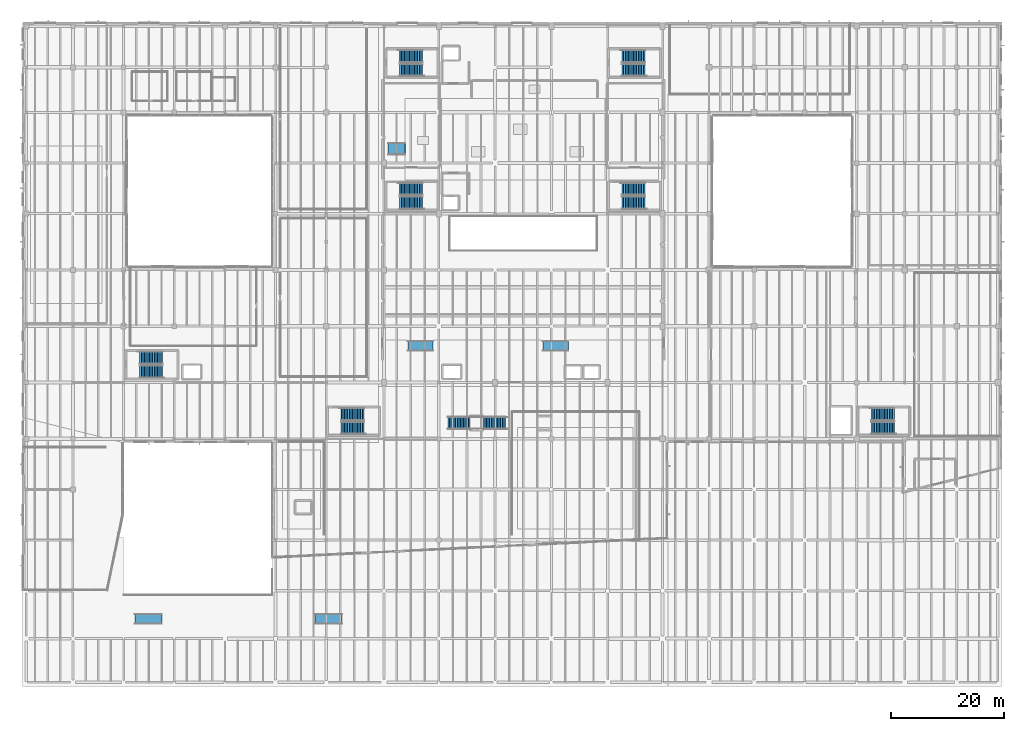
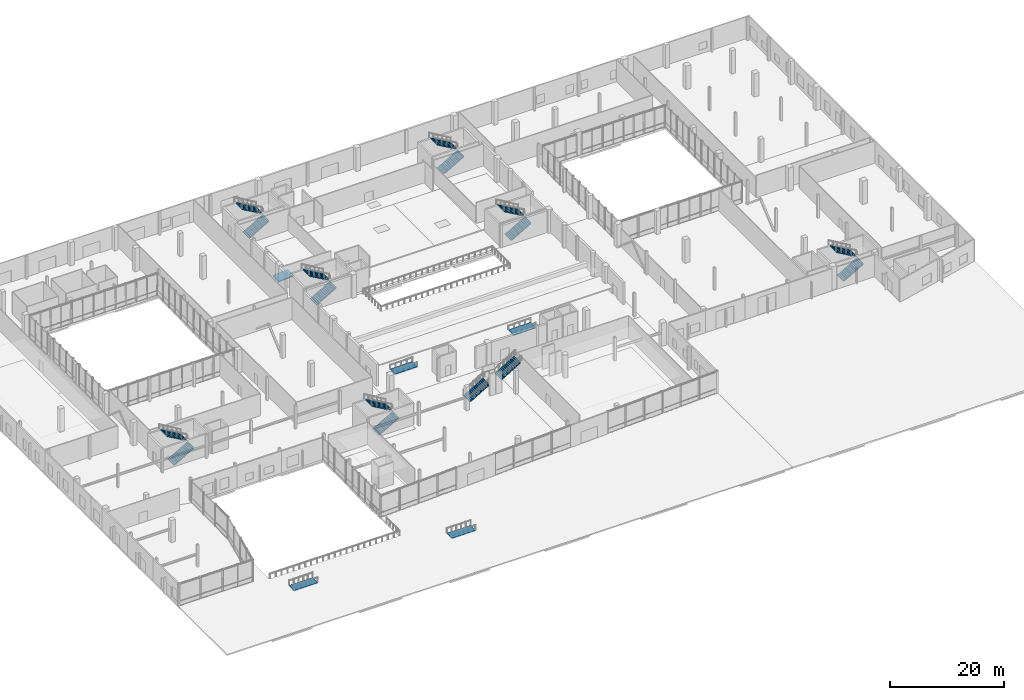
# One storey, part 76 of 88: 16 stair flights, 5 ramp flights, 13 elements without a shape of their own.
"""IFC4 building model written with IfcOpenShell, lengths in metres."""

from ifc_helpers import new_model, si_unit, direction, frame, origin, place, context, subcontext, project, spatial, polyline, outline, extrude, material, layer, layer_set, type_object, element, aggregate, save


model = new_model("IFC4")

# Units and contexts
model_context = context("Model", 3, precision=1e-05, world=origin(), true_north=direction((0.0, 1.0)))
body_context = subcontext(model_context, "Body", "Model", "MODEL_VIEW")
ifc_project = project(units=[si_unit("LENGTHUNIT", "METRE"), si_unit("AREAUNIT", "SQUARE_METRE"), si_unit("VOLUMEUNIT", "CUBIC_METRE"), si_unit("PLANEANGLEUNIT", "RADIAN"), si_unit("MASSUNIT", "GRAM", prefix="KILO")], contexts=[model_context])

# Site, building, storey
site_placement = place(None, origin())
site = spatial("IfcSite", under=ifc_project, at=site_placement, CompositionType="ELEMENT")
building_placement = place(site_placement, origin())
building = spatial("IfcBuilding", under=site, at=building_placement, Name="Trimount Lyric Opera House", CompositionType="ELEMENT")
storey_placement = place(building_placement, origin())
storey = spatial("IfcBuildingStorey", under=building, at=storey_placement, Name="L00", CompositionType="ELEMENT", Elevation=0.0)

# Stair, stair flights
ifc_material_1 = material(Name="Concrete C40/50", Category="concrete")
stair_type_1 = type_object("IfcStairType", Name="STR-CORE-A", PredefinedType="TWO_QUARTER_TURN_STAIR", material=ifc_material_1)
stair_1_placement = place(storey_placement, origin())
stair_1 = element("IfcStair", 1, at=stair_1_placement, inside=storey, type_object=stair_type_1, Name="L00 Exit Stair ST-01", PredefinedType="TWO_QUARTER_TURN_STAIR")
ifc_material_2 = material(Name="Concrete C40/50", Category="concrete")
stair_flight_type_1 = type_object("IfcStairFlightType", Name="SFL-CORE-A", PredefinedType="STRAIGHT", material=ifc_material_2)
stair_flight_1_placement = place(storey_placement, frame((67.050048828125, 109.52490234375, 0.0), z_axis=(0.0, 0.0, 1.0), x_axis=(1.0, 0.0, 0.0)))
stair_flight_1 = element("IfcStairFlight", 2, at=stair_flight_1_placement, type_object=stair_flight_type_1, Name="ST-01 flight 1", NumberOfRisers=15, NumberOfTreads=14, PredefinedType="STRAIGHT", RiserHeight=0.166666667, TreadLength=0.29, context=body_context, shape_type="SweptSolid", body=[
    extrude(outline(polyline([(0.0, 0.0), (0.0, 0.166748046875), (0.2900390625, 0.166748046875), (0.2900390625, 0.333251953125), (0.580078125, 0.333251953125), (0.580078125, 0.5), (0.8701171875, 0.5), (0.8701171875, 0.666748046875), (1.159912109375, 0.666748046875), (1.159912109375, 0.833251953125), (1.449951171875, 0.833251953125), (1.449951171875, 1.0), (1.739990234375, 1.0), (1.739990234375, 1.166748046875), (2.030029296875, 1.166748046875), (2.030029296875, 1.333251953125), (2.320068359375, 1.333251953125), (2.320068359375, 1.5), (2.610107421875, 1.5), (2.610107421875, 1.666748046875), (2.89990234375, 1.666748046875), (2.89990234375, 1.833251953125), (3.18994140625, 1.833251953125), (3.18994140625, 2.0), (3.47998046875, 2.0), (3.47998046875, 2.166748046875), (3.77001953125, 2.166748046875), (3.77001953125, 2.333251953125), (4.0439453125, 2.333251953125), (4.06005859375, 2.5), (4.06005859375, 2.160400390625), (0.30078125, 0.0), (0.0, 0.0)])), frame((0.0, 1.125, 0.0), z_axis=(0.0, -1.0, 0.0), x_axis=(1.0, 0.0, 0.0)), (0.0, 0.0, 1.0), 2.25),
])
stair_flight_2_placement = place(storey_placement, frame((71.110107421875, 111.97509765625, 2.5), z_axis=(0.0, 0.0, 1.0), x_axis=(-1.0, 0.0, 0.0)))
stair_flight_2 = element("IfcStairFlight", 3, at=stair_flight_2_placement, type_object=stair_flight_type_1, Name="ST-01 flight 2", NumberOfRisers=15, NumberOfTreads=14, PredefinedType="STRAIGHT", RiserHeight=0.166666667, TreadLength=0.29, context=body_context, shape_type="SweptSolid", body=[
    extrude(outline(polyline([(0.0, 0.0), (0.0, 0.166748046875), (0.2900390625, 0.166748046875), (0.2900390625, 0.333251953125), (0.580078125, 0.333251953125), (0.580078125, 0.5), (0.8701171875, 0.5), (0.8701171875, 0.666748046875), (1.159912109375, 0.666748046875), (1.159912109375, 0.833251953125), (1.449951171875, 0.833251953125), (1.449951171875, 1.0), (1.739990234375, 1.0), (1.739990234375, 1.166748046875), (2.030029296875, 1.166748046875), (2.030029296875, 1.333251953125), (2.320068359375, 1.333251953125), (2.320068359375, 1.5), (2.610107421875, 1.5), (2.610107421875, 1.666748046875), (2.89990234375, 1.666748046875), (2.89990234375, 1.833251953125), (3.18994140625, 1.833251953125), (3.18994140625, 2.0), (3.47998046875, 2.0), (3.47998046875, 2.166748046875), (3.77001953125, 2.166748046875), (3.77001953125, 2.333251953125), (4.0439453125, 2.333251953125), (4.06005859375, 2.5), (4.06005859375, 2.160400390625), (0.30078125, 0.0), (0.0, 0.0)])), frame((0.0, 1.125, 0.0), z_axis=(0.0, -1.0, 0.0), x_axis=(1.0, 0.0, 0.0)), (0.0, 0.0, 1.0), 2.25),
])
aggregate(stair_1, [stair_flight_1, stair_flight_2])

stair_2_placement = place(storey_placement, origin())
stair_2 = element("IfcStair", 4, at=stair_2_placement, inside=storey, type_object=stair_type_1, Name="L00 Exit Stair ST-02", PredefinedType="TWO_QUARTER_TURN_STAIR")
stair_flight_3_placement = place(storey_placement, frame((106.550048828125, 109.52490234375, 0.0), z_axis=(0.0, 0.0, 1.0), x_axis=(1.0, 0.0, 0.0)))
stair_flight_3 = element("IfcStairFlight", 5, at=stair_flight_3_placement, type_object=stair_flight_type_1, Name="ST-02 flight 1", NumberOfRisers=15, NumberOfTreads=14, PredefinedType="STRAIGHT", RiserHeight=0.166666667, TreadLength=0.29, context=body_context, shape_type="SweptSolid", body=[
    extrude(outline(polyline([(0.0, 0.0), (0.0, 0.166748046875), (0.2900390625, 0.166748046875), (0.2900390625, 0.333251953125), (0.580078125, 0.333251953125), (0.580078125, 0.5), (0.8701171875, 0.5), (0.8701171875, 0.666748046875), (1.159912109375, 0.666748046875), (1.159912109375, 0.833251953125), (1.449951171875, 0.833251953125), (1.449951171875, 1.0), (1.739990234375, 1.0), (1.739990234375, 1.166748046875), (2.030029296875, 1.166748046875), (2.030029296875, 1.333251953125), (2.320068359375, 1.333251953125), (2.320068359375, 1.5), (2.610107421875, 1.5), (2.610107421875, 1.666748046875), (2.89990234375, 1.666748046875), (2.89990234375, 1.833251953125), (3.18994140625, 1.833251953125), (3.18994140625, 2.0), (3.47998046875, 2.0), (3.47998046875, 2.166748046875), (3.77001953125, 2.166748046875), (3.77001953125, 2.333251953125), (4.0439453125, 2.333251953125), (4.06005859375, 2.5), (4.06005859375, 2.160400390625), (0.30078125, 0.0), (0.0, 0.0)])), frame((0.0, 1.125, 0.0), z_axis=(0.0, -1.0, 0.0), x_axis=(1.0, 0.0, 0.0)), (0.0, 0.0, 1.0), 2.25),
])
stair_flight_4_placement = place(storey_placement, frame((110.610107421875, 111.97509765625, 2.5), z_axis=(0.0, 0.0, 1.0), x_axis=(-1.0, 0.0, 0.0)))
stair_flight_4 = element("IfcStairFlight", 6, at=stair_flight_4_placement, type_object=stair_flight_type_1, Name="ST-02 flight 2", NumberOfRisers=15, NumberOfTreads=14, PredefinedType="STRAIGHT", RiserHeight=0.166666667, TreadLength=0.29, context=body_context, shape_type="SweptSolid", body=[
    extrude(outline(polyline([(0.0, 0.0), (0.0, 0.166748046875), (0.2900390625, 0.166748046875), (0.2900390625, 0.333251953125), (0.580078125, 0.333251953125), (0.580078125, 0.5), (0.8701171875, 0.5), (0.8701171875, 0.666748046875), (1.159912109375, 0.666748046875), (1.159912109375, 0.833251953125), (1.449951171875, 0.833251953125), (1.449951171875, 1.0), (1.739990234375, 1.0), (1.739990234375, 1.166748046875), (2.030029296875, 1.166748046875), (2.030029296875, 1.333251953125), (2.320068359375, 1.333251953125), (2.320068359375, 1.5), (2.610107421875, 1.5), (2.610107421875, 1.666748046875), (2.89990234375, 1.666748046875), (2.89990234375, 1.833251953125), (3.18994140625, 1.833251953125), (3.18994140625, 2.0), (3.47998046875, 2.0), (3.47998046875, 2.166748046875), (3.77001953125, 2.166748046875), (3.77001953125, 2.333251953125), (4.0439453125, 2.333251953125), (4.06005859375, 2.5), (4.06005859375, 2.160400390625), (0.30078125, 0.0), (0.0, 0.0)])), frame((0.0, 1.125, 0.0), z_axis=(0.0, -1.0, 0.0), x_axis=(1.0, 0.0, 0.0)), (0.0, 0.0, 1.0), 2.25),
])
aggregate(stair_2, [stair_flight_3, stair_flight_4])

stair_3_placement = place(storey_placement, origin())
stair_3 = element("IfcStair", 7, at=stair_3_placement, inside=storey, type_object=stair_type_1, Name="L00 Exit Stair ST-03", PredefinedType="TWO_QUARTER_TURN_STAIR")
stair_flight_5_placement = place(storey_placement, frame((67.050048828125, 85.925048828125, 0.0), z_axis=(0.0, 0.0, 1.0), x_axis=(1.0, 0.0, 0.0)))
stair_flight_5 = element("IfcStairFlight", 8, at=stair_flight_5_placement, type_object=stair_flight_type_1, Name="ST-03 flight 1", NumberOfRisers=15, NumberOfTreads=14, PredefinedType="STRAIGHT", RiserHeight=0.166666667, TreadLength=0.29, context=body_context, shape_type="SweptSolid", body=[
    extrude(outline(polyline([(0.0, 0.0), (0.0, 0.166748046875), (0.2900390625, 0.166748046875), (0.2900390625, 0.333251953125), (0.580078125, 0.333251953125), (0.580078125, 0.5), (0.8701171875, 0.5), (0.8701171875, 0.666748046875), (1.159912109375, 0.666748046875), (1.159912109375, 0.833251953125), (1.449951171875, 0.833251953125), (1.449951171875, 1.0), (1.739990234375, 1.0), (1.739990234375, 1.166748046875), (2.030029296875, 1.166748046875), (2.030029296875, 1.333251953125), (2.320068359375, 1.333251953125), (2.320068359375, 1.5), (2.610107421875, 1.5), (2.610107421875, 1.666748046875), (2.89990234375, 1.666748046875), (2.89990234375, 1.833251953125), (3.18994140625, 1.833251953125), (3.18994140625, 2.0), (3.47998046875, 2.0), (3.47998046875, 2.166748046875), (3.77001953125, 2.166748046875), (3.77001953125, 2.333251953125), (4.0439453125, 2.333251953125), (4.06005859375, 2.5), (4.06005859375, 2.160400390625), (0.30078125, 0.0), (0.0, 0.0)])), frame((0.0, 1.125, 0.0), z_axis=(0.0, -1.0, 0.0), x_axis=(1.0, 0.0, 0.0)), (0.0, 0.0, 1.0), 2.25),
])
stair_flight_6_placement = place(storey_placement, frame((71.110107421875, 88.375, 2.5), z_axis=(0.0, 0.0, 1.0), x_axis=(-1.0, 0.0, 0.0)))
stair_flight_6 = element("IfcStairFlight", 9, at=stair_flight_6_placement, type_object=stair_flight_type_1, Name="ST-03 flight 2", NumberOfRisers=15, NumberOfTreads=14, PredefinedType="STRAIGHT", RiserHeight=0.166666667, TreadLength=0.29, context=body_context, shape_type="SweptSolid", body=[
    extrude(outline(polyline([(0.0, 0.0), (0.0, 0.166748046875), (0.2900390625, 0.166748046875), (0.2900390625, 0.333251953125), (0.580078125, 0.333251953125), (0.580078125, 0.5), (0.8701171875, 0.5), (0.8701171875, 0.666748046875), (1.159912109375, 0.666748046875), (1.159912109375, 0.833251953125), (1.449951171875, 0.833251953125), (1.449951171875, 1.0), (1.739990234375, 1.0), (1.739990234375, 1.166748046875), (2.030029296875, 1.166748046875), (2.030029296875, 1.333251953125), (2.320068359375, 1.333251953125), (2.320068359375, 1.5), (2.610107421875, 1.5), (2.610107421875, 1.666748046875), (2.89990234375, 1.666748046875), (2.89990234375, 1.833251953125), (3.18994140625, 1.833251953125), (3.18994140625, 2.0), (3.47998046875, 2.0), (3.47998046875, 2.166748046875), (3.77001953125, 2.166748046875), (3.77001953125, 2.333251953125), (4.0439453125, 2.333251953125), (4.06005859375, 2.5), (4.06005859375, 2.160400390625), (0.30078125, 0.0), (0.0, 0.0)])), frame((0.0, 1.125, 0.0), z_axis=(0.0, -1.0, 0.0), x_axis=(1.0, 0.0, 0.0)), (0.0, 0.0, 1.0), 2.25),
])
aggregate(stair_3, [stair_flight_5, stair_flight_6])

stair_4_placement = place(storey_placement, origin())
stair_4 = element("IfcStair", 10, at=stair_4_placement, inside=storey, type_object=stair_type_1, Name="L00 Exit Stair ST-04", PredefinedType="TWO_QUARTER_TURN_STAIR")
stair_flight_7_placement = place(storey_placement, frame((106.550048828125, 85.925048828125, 0.0), z_axis=(0.0, 0.0, 1.0), x_axis=(1.0, 0.0, 0.0)))
stair_flight_7 = element("IfcStairFlight", 11, at=stair_flight_7_placement, type_object=stair_flight_type_1, Name="ST-04 flight 1", NumberOfRisers=15, NumberOfTreads=14, PredefinedType="STRAIGHT", RiserHeight=0.166666667, TreadLength=0.29, context=body_context, shape_type="SweptSolid", body=[
    extrude(outline(polyline([(0.0, 0.0), (0.0, 0.166748046875), (0.2900390625, 0.166748046875), (0.2900390625, 0.333251953125), (0.580078125, 0.333251953125), (0.580078125, 0.5), (0.8701171875, 0.5), (0.8701171875, 0.666748046875), (1.159912109375, 0.666748046875), (1.159912109375, 0.833251953125), (1.449951171875, 0.833251953125), (1.449951171875, 1.0), (1.739990234375, 1.0), (1.739990234375, 1.166748046875), (2.030029296875, 1.166748046875), (2.030029296875, 1.333251953125), (2.320068359375, 1.333251953125), (2.320068359375, 1.5), (2.610107421875, 1.5), (2.610107421875, 1.666748046875), (2.89990234375, 1.666748046875), (2.89990234375, 1.833251953125), (3.18994140625, 1.833251953125), (3.18994140625, 2.0), (3.47998046875, 2.0), (3.47998046875, 2.166748046875), (3.77001953125, 2.166748046875), (3.77001953125, 2.333251953125), (4.0439453125, 2.333251953125), (4.06005859375, 2.5), (4.06005859375, 2.160400390625), (0.30078125, 0.0), (0.0, 0.0)])), frame((0.0, 1.125, 0.0), z_axis=(0.0, -1.0, 0.0), x_axis=(1.0, 0.0, 0.0)), (0.0, 0.0, 1.0), 2.25),
])
stair_flight_8_placement = place(storey_placement, frame((110.610107421875, 88.375, 2.5), z_axis=(0.0, 0.0, 1.0), x_axis=(-1.0, 0.0, 0.0)))
stair_flight_8 = element("IfcStairFlight", 12, at=stair_flight_8_placement, type_object=stair_flight_type_1, Name="ST-04 flight 2", NumberOfRisers=15, NumberOfTreads=14, PredefinedType="STRAIGHT", RiserHeight=0.166666667, TreadLength=0.29, context=body_context, shape_type="SweptSolid", body=[
    extrude(outline(polyline([(0.0, 0.0), (0.0, 0.166748046875), (0.2900390625, 0.166748046875), (0.2900390625, 0.333251953125), (0.580078125, 0.333251953125), (0.580078125, 0.5), (0.8701171875, 0.5), (0.8701171875, 0.666748046875), (1.159912109375, 0.666748046875), (1.159912109375, 0.833251953125), (1.449951171875, 0.833251953125), (1.449951171875, 1.0), (1.739990234375, 1.0), (1.739990234375, 1.166748046875), (2.030029296875, 1.166748046875), (2.030029296875, 1.333251953125), (2.320068359375, 1.333251953125), (2.320068359375, 1.5), (2.610107421875, 1.5), (2.610107421875, 1.666748046875), (2.89990234375, 1.666748046875), (2.89990234375, 1.833251953125), (3.18994140625, 1.833251953125), (3.18994140625, 2.0), (3.47998046875, 2.0), (3.47998046875, 2.166748046875), (3.77001953125, 2.166748046875), (3.77001953125, 2.333251953125), (4.0439453125, 2.333251953125), (4.06005859375, 2.5), (4.06005859375, 2.160400390625), (0.30078125, 0.0), (0.0, 0.0)])), frame((0.0, 1.125, 0.0), z_axis=(0.0, -1.0, 0.0), x_axis=(1.0, 0.0, 0.0)), (0.0, 0.0, 1.0), 2.25),
])
aggregate(stair_4, [stair_flight_7, stair_flight_8])

stair_5_placement = place(storey_placement, origin())
stair_5 = element("IfcStair", 13, at=stair_5_placement, inside=storey, type_object=stair_type_1, Name="L00 Exit Stair ST-05", PredefinedType="TWO_QUARTER_TURN_STAIR")
stair_flight_9_placement = place(storey_placement, frame((150.85009765625, 45.925048828125, 0.0), z_axis=(0.0, 0.0, 1.0), x_axis=(1.0, 0.0, 0.0)))
stair_flight_9 = element("IfcStairFlight", 14, at=stair_flight_9_placement, type_object=stair_flight_type_1, Name="ST-05 flight 1", NumberOfRisers=15, NumberOfTreads=14, PredefinedType="STRAIGHT", RiserHeight=0.166666667, TreadLength=0.29, context=body_context, shape_type="SweptSolid", body=[
    extrude(outline(polyline([(0.0, 0.0), (0.0, 0.166748046875), (0.2900390625, 0.166748046875), (0.2900390625, 0.333251953125), (0.580078125, 0.333251953125), (0.580078125, 0.5), (0.8701171875, 0.5), (0.8701171875, 0.666748046875), (1.159912109375, 0.666748046875), (1.159912109375, 0.833251953125), (1.449951171875, 0.833251953125), (1.449951171875, 1.0), (1.739990234375, 1.0), (1.739990234375, 1.166748046875), (2.030029296875, 1.166748046875), (2.030029296875, 1.333251953125), (2.320068359375, 1.333251953125), (2.320068359375, 1.5), (2.610107421875, 1.5), (2.610107421875, 1.666748046875), (2.89990234375, 1.666748046875), (2.89990234375, 1.833251953125), (3.18994140625, 1.833251953125), (3.18994140625, 2.0), (3.47998046875, 2.0), (3.47998046875, 2.166748046875), (3.77001953125, 2.166748046875), (3.77001953125, 2.333251953125), (4.0439453125, 2.333251953125), (4.06005859375, 2.5), (4.06005859375, 2.160400390625), (0.30078125, 0.0), (0.0, 0.0)])), frame((0.0, 1.125, 0.0), z_axis=(0.0, -1.0, 0.0), x_axis=(1.0, 0.0, 0.0)), (0.0, 0.0, 1.0), 2.25),
])
stair_flight_10_placement = place(storey_placement, frame((154.909912109375, 48.375, 2.5), z_axis=(0.0, 0.0, 1.0), x_axis=(-1.0, 0.0, 0.0)))
stair_flight_10 = element("IfcStairFlight", 15, at=stair_flight_10_placement, type_object=stair_flight_type_1, Name="ST-05 flight 2", NumberOfRisers=15, NumberOfTreads=14, PredefinedType="STRAIGHT", RiserHeight=0.166666667, TreadLength=0.29, context=body_context, shape_type="SweptSolid", body=[
    extrude(outline(polyline([(0.0, 0.0), (0.0, 0.166748046875), (0.2900390625, 0.166748046875), (0.2900390625, 0.333251953125), (0.580078125, 0.333251953125), (0.580078125, 0.5), (0.8701171875, 0.5), (0.8701171875, 0.666748046875), (1.159912109375, 0.666748046875), (1.159912109375, 0.833251953125), (1.449951171875, 0.833251953125), (1.449951171875, 1.0), (1.739990234375, 1.0), (1.739990234375, 1.166748046875), (2.030029296875, 1.166748046875), (2.030029296875, 1.333251953125), (2.320068359375, 1.333251953125), (2.320068359375, 1.5), (2.610107421875, 1.5), (2.610107421875, 1.666748046875), (2.89990234375, 1.666748046875), (2.89990234375, 1.833251953125), (3.18994140625, 1.833251953125), (3.18994140625, 2.0), (3.47998046875, 2.0), (3.47998046875, 2.166748046875), (3.77001953125, 2.166748046875), (3.77001953125, 2.333251953125), (4.0439453125, 2.333251953125), (4.06005859375, 2.5), (4.06005859375, 2.160400390625), (0.30078125, 0.0), (0.0, 0.0)])), frame((0.0, 1.125, 0.0), z_axis=(0.0, -1.0, 0.0), x_axis=(1.0, 0.0, 0.0)), (0.0, 0.0, 1.0), 2.25),
])
aggregate(stair_5, [stair_flight_9, stair_flight_10])

stair_6_placement = place(storey_placement, origin())
stair_6 = element("IfcStair", 16, at=stair_6_placement, inside=storey, type_object=stair_type_1, Name="L00 Exit Stair ST-06", PredefinedType="TWO_QUARTER_TURN_STAIR")
stair_flight_11_placement = place(storey_placement, frame((20.85009765625, 55.925048828125, 0.0), z_axis=(0.0, 0.0, 1.0), x_axis=(1.0, 0.0, 0.0)))
stair_flight_11 = element("IfcStairFlight", 17, at=stair_flight_11_placement, type_object=stair_flight_type_1, Name="ST-06 flight 1", NumberOfRisers=15, NumberOfTreads=14, PredefinedType="STRAIGHT", RiserHeight=0.166666667, TreadLength=0.29, context=body_context, shape_type="SweptSolid", body=[
    extrude(outline(polyline([(0.0, 0.0), (0.0, 0.166748046875), (0.2900390625, 0.166748046875), (0.2900390625, 0.333251953125), (0.580078125, 0.333251953125), (0.580078125, 0.5), (0.8701171875, 0.5), (0.8701171875, 0.666748046875), (1.159912109375, 0.666748046875), (1.159912109375, 0.833251953125), (1.449951171875, 0.833251953125), (1.449951171875, 1.0), (1.739990234375, 1.0), (1.739990234375, 1.166748046875), (2.030029296875, 1.166748046875), (2.030029296875, 1.333251953125), (2.320068359375, 1.333251953125), (2.320068359375, 1.5), (2.610107421875, 1.5), (2.610107421875, 1.666748046875), (2.89990234375, 1.666748046875), (2.89990234375, 1.833251953125), (3.18994140625, 1.833251953125), (3.18994140625, 2.0), (3.47998046875, 2.0), (3.47998046875, 2.166748046875), (3.77001953125, 2.166748046875), (3.77001953125, 2.333251953125), (4.0439453125, 2.333251953125), (4.06005859375, 2.5), (4.06005859375, 2.160400390625), (0.30078125, 0.0), (0.0, 0.0)])), frame((0.0, 1.125, 0.0), z_axis=(0.0, -1.0, 0.0), x_axis=(1.0, 0.0, 0.0)), (0.0, 0.0, 1.0), 2.25),
])
stair_flight_12_placement = place(storey_placement, frame((24.909912109375, 58.375, 2.5), z_axis=(0.0, 0.0, 1.0), x_axis=(-1.0, 0.0, 0.0)))
stair_flight_12 = element("IfcStairFlight", 18, at=stair_flight_12_placement, type_object=stair_flight_type_1, Name="ST-06 flight 2", NumberOfRisers=15, NumberOfTreads=14, PredefinedType="STRAIGHT", RiserHeight=0.166666667, TreadLength=0.29, context=body_context, shape_type="SweptSolid", body=[
    extrude(outline(polyline([(0.0, 0.0), (0.0, 0.166748046875), (0.2900390625, 0.166748046875), (0.2900390625, 0.333251953125), (0.580078125, 0.333251953125), (0.580078125, 0.5), (0.8701171875, 0.5), (0.8701171875, 0.666748046875), (1.159912109375, 0.666748046875), (1.159912109375, 0.833251953125), (1.449951171875, 0.833251953125), (1.449951171875, 1.0), (1.739990234375, 1.0), (1.739990234375, 1.166748046875), (2.030029296875, 1.166748046875), (2.030029296875, 1.333251953125), (2.320068359375, 1.333251953125), (2.320068359375, 1.5), (2.610107421875, 1.5), (2.610107421875, 1.666748046875), (2.89990234375, 1.666748046875), (2.89990234375, 1.833251953125), (3.18994140625, 1.833251953125), (3.18994140625, 2.0), (3.47998046875, 2.0), (3.47998046875, 2.166748046875), (3.77001953125, 2.166748046875), (3.77001953125, 2.333251953125), (4.0439453125, 2.333251953125), (4.06005859375, 2.5), (4.06005859375, 2.160400390625), (0.30078125, 0.0), (0.0, 0.0)])), frame((0.0, 1.125, 0.0), z_axis=(0.0, -1.0, 0.0), x_axis=(1.0, 0.0, 0.0)), (0.0, 0.0, 1.0), 2.25),
])
aggregate(stair_6, [stair_flight_11, stair_flight_12])

stair_7_placement = place(storey_placement, origin())
stair_7 = element("IfcStair", 19, at=stair_7_placement, inside=storey, type_object=stair_type_1, Name="L00 Exit Stair ST-07", PredefinedType="TWO_QUARTER_TURN_STAIR")
stair_flight_13_placement = place(storey_placement, frame((56.64990234375, 45.925048828125, 0.0), z_axis=(0.0, 0.0, 1.0), x_axis=(1.0, 0.0, 0.0)))
stair_flight_13 = element("IfcStairFlight", 20, at=stair_flight_13_placement, type_object=stair_flight_type_1, Name="ST-07 flight 1", NumberOfRisers=15, NumberOfTreads=14, PredefinedType="STRAIGHT", RiserHeight=0.166666667, TreadLength=0.29, context=body_context, shape_type="SweptSolid", body=[
    extrude(outline(polyline([(0.0, 0.0), (0.0, 0.166748046875), (0.2900390625, 0.166748046875), (0.2900390625, 0.333251953125), (0.580078125, 0.333251953125), (0.580078125, 0.5), (0.8701171875, 0.5), (0.8701171875, 0.666748046875), (1.159912109375, 0.666748046875), (1.159912109375, 0.833251953125), (1.449951171875, 0.833251953125), (1.449951171875, 1.0), (1.739990234375, 1.0), (1.739990234375, 1.166748046875), (2.030029296875, 1.166748046875), (2.030029296875, 1.333251953125), (2.320068359375, 1.333251953125), (2.320068359375, 1.5), (2.610107421875, 1.5), (2.610107421875, 1.666748046875), (2.89990234375, 1.666748046875), (2.89990234375, 1.833251953125), (3.18994140625, 1.833251953125), (3.18994140625, 2.0), (3.47998046875, 2.0), (3.47998046875, 2.166748046875), (3.77001953125, 2.166748046875), (3.77001953125, 2.333251953125), (4.0439453125, 2.333251953125), (4.06005859375, 2.5), (4.06005859375, 2.160400390625), (0.30078125, 0.0), (0.0, 0.0)])), frame((0.0, 1.125, 0.0), z_axis=(0.0, -1.0, 0.0), x_axis=(1.0, 0.0, 0.0)), (0.0, 0.0, 1.0), 2.25),
])
stair_flight_14_placement = place(storey_placement, frame((60.7099609375, 48.375, 2.5), z_axis=(0.0, 0.0, 1.0), x_axis=(-1.0, 0.0, 0.0)))
stair_flight_14 = element("IfcStairFlight", 21, at=stair_flight_14_placement, type_object=stair_flight_type_1, Name="ST-07 flight 2", NumberOfRisers=15, NumberOfTreads=14, PredefinedType="STRAIGHT", RiserHeight=0.166666667, TreadLength=0.29, context=body_context, shape_type="SweptSolid", body=[
    extrude(outline(polyline([(0.0, 0.0), (0.0, 0.166748046875), (0.2900390625, 0.166748046875), (0.2900390625, 0.333251953125), (0.580078125, 0.333251953125), (0.580078125, 0.5), (0.8701171875, 0.5), (0.8701171875, 0.666748046875), (1.159912109375, 0.666748046875), (1.159912109375, 0.833251953125), (1.449951171875, 0.833251953125), (1.449951171875, 1.0), (1.739990234375, 1.0), (1.739990234375, 1.166748046875), (2.030029296875, 1.166748046875), (2.030029296875, 1.333251953125), (2.320068359375, 1.333251953125), (2.320068359375, 1.5), (2.610107421875, 1.5), (2.610107421875, 1.666748046875), (2.89990234375, 1.666748046875), (2.89990234375, 1.833251953125), (3.18994140625, 1.833251953125), (3.18994140625, 2.0), (3.47998046875, 2.0), (3.47998046875, 2.166748046875), (3.77001953125, 2.166748046875), (3.77001953125, 2.333251953125), (4.0439453125, 2.333251953125), (4.06005859375, 2.5), (4.06005859375, 2.160400390625), (0.30078125, 0.0), (0.0, 0.0)])), frame((0.0, 1.125, 0.0), z_axis=(0.0, -1.0, 0.0), x_axis=(1.0, 0.0, 0.0)), (0.0, 0.0, 1.0), 2.25),
])
aggregate(stair_7, [stair_flight_13, stair_flight_14])

ifc_material_3 = material(Name="Steel ASTM A36", Category="steel")
stair_type_2 = type_object("IfcStairType", Name="STR-FOY-2", PredefinedType="STRAIGHT_RUN_STAIR", material=ifc_material_3)
stair_8_placement = place(storey_placement, origin())
stair_8 = element("IfcStair", 22, at=stair_8_placement, inside=storey, type_object=stair_type_2, Name="Winter-Garden Lower Promenade Stair", PredefinedType="STRAIGHT_RUN_STAIR")
ifc_material_4 = material(Name="Steel ASTM A36", Category="steel")
stair_flight_type_2 = type_object("IfcStairFlightType", Name="SFL-FOY-2", PredefinedType="STRAIGHT", material=ifc_material_4)
stair_flight_15_placement = place(storey_placement, frame((75.60009765625, 46.800048828125, 0.0), z_axis=(0.0, 0.0, 1.0), x_axis=(1.0, 0.0, 0.0)))
stair_flight_15 = element("IfcStairFlight", 23, at=stair_flight_15_placement, type_object=stair_flight_type_2, Name="FS-02 flight 1", NumberOfRisers=15, NumberOfTreads=14, PredefinedType="STRAIGHT", RiserHeight=0.166666667, TreadLength=0.28, context=body_context, shape_type="SweptSolid", body=[
    extrude(outline(polyline([(0.0, 0.0), (0.0, 0.166748046875), (0.280029296875, 0.166748046875), (0.280029296875, 0.333251953125), (0.56005859375, 0.333251953125), (0.56005859375, 0.5), (0.840087890625, 0.5), (0.840087890625, 0.666748046875), (1.1201171875, 0.666748046875), (1.1201171875, 0.833251953125), (1.39990234375, 0.833251953125), (1.39990234375, 1.0), (1.679931640625, 1.0), (1.679931640625, 1.166748046875), (1.9599609375, 1.166748046875), (1.9599609375, 1.333251953125), (2.239990234375, 1.333251953125), (2.239990234375, 1.5), (2.52001953125, 1.5), (2.52001953125, 1.666748046875), (2.800048828125, 1.666748046875), (2.800048828125, 1.833251953125), (3.080078125, 1.833251953125), (3.080078125, 2.0), (3.360107421875, 2.0), (3.360107421875, 2.166748046875), (3.639892578125, 2.166748046875), (3.639892578125, 2.333251953125), (3.90380859375, 2.333251953125), (3.919921875, 2.5), (3.919921875, 2.135498046875), (0.332275390625, 0.0), (0.0, 0.0)])), frame((0.0, 1.10009765625, 0.0), z_axis=(0.0, -1.0, 0.0), x_axis=(1.0, 0.0, 0.0)), (0.0, 0.0, 1.0), 2.199951171875),
])
stair_flight_16_placement = place(storey_placement, frame((81.919921875, 46.800048828125, 2.5), z_axis=(0.0, 0.0, 1.0), x_axis=(1.0, 0.0, 0.0)))
stair_flight_16 = element("IfcStairFlight", 24, at=stair_flight_16_placement, type_object=stair_flight_type_2, Name="FS-02 flight 2", NumberOfRisers=15, NumberOfTreads=14, PredefinedType="STRAIGHT", RiserHeight=0.166666667, TreadLength=0.28, context=body_context, shape_type="SweptSolid", body=[
    extrude(outline(polyline([(0.0, 0.0), (0.0, 0.166748046875), (0.280029296875, 0.166748046875), (0.280029296875, 0.333251953125), (0.56005859375, 0.333251953125), (0.56005859375, 0.5), (0.840087890625, 0.5), (0.840087890625, 0.666748046875), (1.1201171875, 0.666748046875), (1.1201171875, 0.833251953125), (1.39990234375, 0.833251953125), (1.39990234375, 1.0), (1.679931640625, 1.0), (1.679931640625, 1.166748046875), (1.9599609375, 1.166748046875), (1.9599609375, 1.333251953125), (2.239990234375, 1.333251953125), (2.239990234375, 1.5), (2.52001953125, 1.5), (2.52001953125, 1.666748046875), (2.800048828125, 1.666748046875), (2.800048828125, 1.833251953125), (3.080078125, 1.833251953125), (3.080078125, 2.0), (3.360107421875, 2.0), (3.360107421875, 2.166748046875), (3.639892578125, 2.166748046875), (3.639892578125, 2.333251953125), (3.90380859375, 2.333251953125), (3.919921875, 2.5), (3.919921875, 2.135498046875), (0.332275390625, 0.0), (0.0, 0.0)])), frame((0.0, 1.10009765625, 0.0), z_axis=(0.0, -1.0, 0.0), x_axis=(1.0, 0.0, 0.0)), (0.0, 0.0, 1.0), 2.199951171875),
])
aggregate(stair_8, [stair_flight_15, stair_flight_16])

# Ramp, ramp flight
ifc_material_5 = material(Name="Concrete C35/45", Category="concrete")
ramp_type_1 = type_object("IfcRampType", Name="RMP-ACC1", PredefinedType="STRAIGHT_RUN_RAMP", material=ifc_material_5)
ramp_1_placement = place(storey_placement, origin())
ramp_1 = element("IfcRamp", 25, at=ramp_1_placement, inside=storey, type_object=ramp_type_1, Name="Plaza Accessible Threshold Ramp West", PredefinedType="STRAIGHT_RUN_RAMP")
ifc_material_6 = material(Name="Concrete C35/45", Category="concrete")
ifc_layer_1 = layer(ifc_material_6, 0.199951171875)
ifc_layer_set_1 = layer_set([ifc_layer_1], Name="RFL-ACC1")
ramp_flight_type_1 = type_object("IfcRampFlightType", Name="RFL-ACC1", PredefinedType="STRAIGHT", material=ifc_layer_set_1)
ramp_flight_1_placement = place(storey_placement, frame((20.0, 11.10009765625, 0.0), z_axis=(-0.004170656977, 0.0, 0.999991302772), x_axis=(0.999991302772, 0.0, 0.004170656977)))
ramp_flight_1 = element("IfcRampFlight", 26, at=ramp_flight_1_placement, type_object=ramp_flight_type_1, Name="Plaza Accessible Threshold Ramp West flight", PredefinedType="STRAIGHT", context=body_context, shape_type="SweptSolid", body=[
    extrude(outline(polyline([(0.0, 0.0), (4.800090575605386, 0.0), (4.800090575605386, 1.7998046874999998), (0.0, 1.7998046874999998), (0.0, 0.0)])), origin(), (0.0, 0.0, -1.0), 0.199951171875),
])
aggregate(ramp_1, [ramp_flight_1])

ramp_2_placement = place(storey_placement, origin())
ramp_2 = element("IfcRamp", 27, at=ramp_2_placement, inside=storey, type_object=ramp_type_1, Name="Plaza Accessible Threshold Ramp East", PredefinedType="STRAIGHT_RUN_RAMP")
ramp_flight_2_placement = place(storey_placement, frame((52.0, 11.10009765625, 0.0), z_axis=(-0.004170656977, 0.0, 0.999991302772), x_axis=(0.999991302772, 0.0, 0.004170656977)))
ramp_flight_2 = element("IfcRampFlight", 28, at=ramp_flight_2_placement, type_object=ramp_flight_type_1, Name="Plaza Accessible Threshold Ramp East flight", PredefinedType="STRAIGHT", context=body_context, shape_type="SweptSolid", body=[
    extrude(outline(polyline([(0.0, 0.0), (4.800090575605386, 0.0), (4.800090575605386, 1.7998046874999998), (0.0, 1.7998046874999998), (0.0, 0.0)])), origin(), (0.0, 0.0, -1.0), 0.199951171875),
])
aggregate(ramp_2, [ramp_flight_2])

ramp_3_placement = place(storey_placement, origin())
ramp_3 = element("IfcRamp", 29, at=ramp_3_placement, inside=storey, type_object=ramp_type_1, Name="Auditorium Stalls West Accessible Ramp", PredefinedType="STRAIGHT_RUN_RAMP")
ramp_flight_3_placement = place(storey_placement, frame((68.5, 59.60009765625, 0.0), z_axis=(-0.011121273987, 0.0, 0.99993815672), x_axis=(0.99993815672, 0.0, 0.011121273987)))
ramp_flight_3 = element("IfcRampFlight", 30, at=ramp_flight_3_placement, type_object=ramp_flight_type_1, Name="Auditorium Stalls West Accessible Ramp flight", PredefinedType="STRAIGHT", context=body_context, shape_type="SweptSolid", body=[
    extrude(outline(polyline([(0.0, 0.0), (4.500278311971015, 0.0), (4.500278311971015, 1.7998046875), (0.0, 1.7998046875), (0.0, 0.0)])), origin(), (0.0, 0.0, -1.0), 0.199951171875),
])
aggregate(ramp_3, [ramp_flight_3])

ramp_4_placement = place(storey_placement, origin())
ramp_4 = element("IfcRamp", 31, at=ramp_4_placement, inside=storey, type_object=ramp_type_1, Name="Auditorium Stalls East Accessible Ramp", PredefinedType="STRAIGHT_RUN_RAMP")
ramp_flight_4_placement = place(storey_placement, frame((92.5, 59.60009765625, 0.0), z_axis=(-0.011121273987, 0.0, 0.99993815672), x_axis=(0.99993815672, 0.0, 0.011121273987)))
ramp_flight_4 = element("IfcRampFlight", 32, at=ramp_flight_4_placement, type_object=ramp_flight_type_1, Name="Auditorium Stalls East Accessible Ramp flight", PredefinedType="STRAIGHT", context=body_context, shape_type="SweptSolid", body=[
    extrude(outline(polyline([(0.0, 0.0), (4.500278311971015, 0.0), (4.500278311971015, 1.7998046875), (0.0, 1.7998046875), (0.0, 0.0)])), origin(), (0.0, 0.0, -1.0), 0.199951171875),
])
aggregate(ramp_4, [ramp_flight_4])

ifc_material_7 = material(Name="Concrete C35/45", Category="concrete")
ramp_type_2 = type_object("IfcRampType", Name="RMP-ACC2", PredefinedType="STRAIGHT_RUN_RAMP", material=ifc_material_7)
ramp_5_placement = place(storey_placement, origin())
ramp_5 = element("IfcRamp", 33, at=ramp_5_placement, inside=storey, type_object=ramp_type_2, Name="West Wing Stage Deck Accessible Ramp", PredefinedType="STRAIGHT_RUN_RAMP")
ifc_material_8 = material(Name="Concrete C35/45", Category="concrete")
ifc_layer_2 = layer(ifc_material_8, 0.219970703125)
ifc_layer_set_2 = layer_set([ifc_layer_2], Name="RFL-ACC2")
ramp_flight_type_2 = type_object("IfcRampFlightType", Name="RFL-ACC2", PredefinedType="STRAIGHT", material=ifc_layer_set_2)
ramp_flight_5_placement = place(storey_placement, frame((65.0, 94.449951171875, 0.0), z_axis=(-0.075932128953, 0.0, 0.997112988479), x_axis=(0.997112988479, 0.0, 0.075932128953)))
ramp_flight_5 = element("IfcRampFlight", 34, at=ramp_flight_5_placement, type_object=ramp_flight_type_2, Name="West Wing Stage Deck Accessible Ramp flight", PredefinedType="STRAIGHT", context=body_context, shape_type="SweptSolid", body=[
    extrude(outline(polyline([(0.0, 0.0), (3.0287636066781345, 0.0), (3.0287636066781345, 2.10009765625), (0.0, 2.10009765625), (0.0, 0.0)])), origin(), (0.0, 0.0, -1.0), 0.219970703125),
])
aggregate(ramp_5, [ramp_flight_5])

save(model, "model.ifc")
